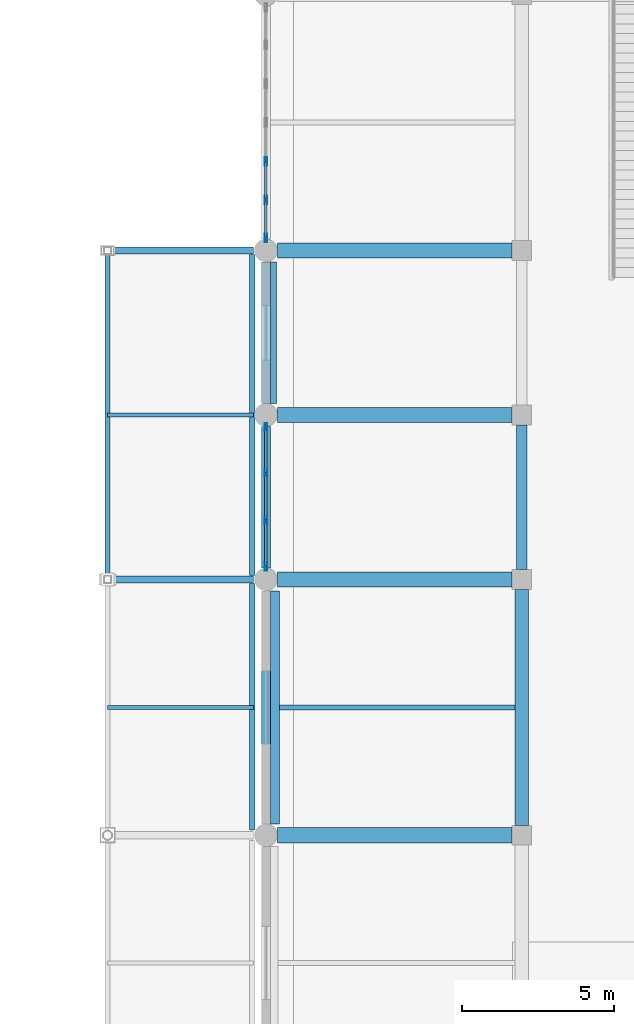
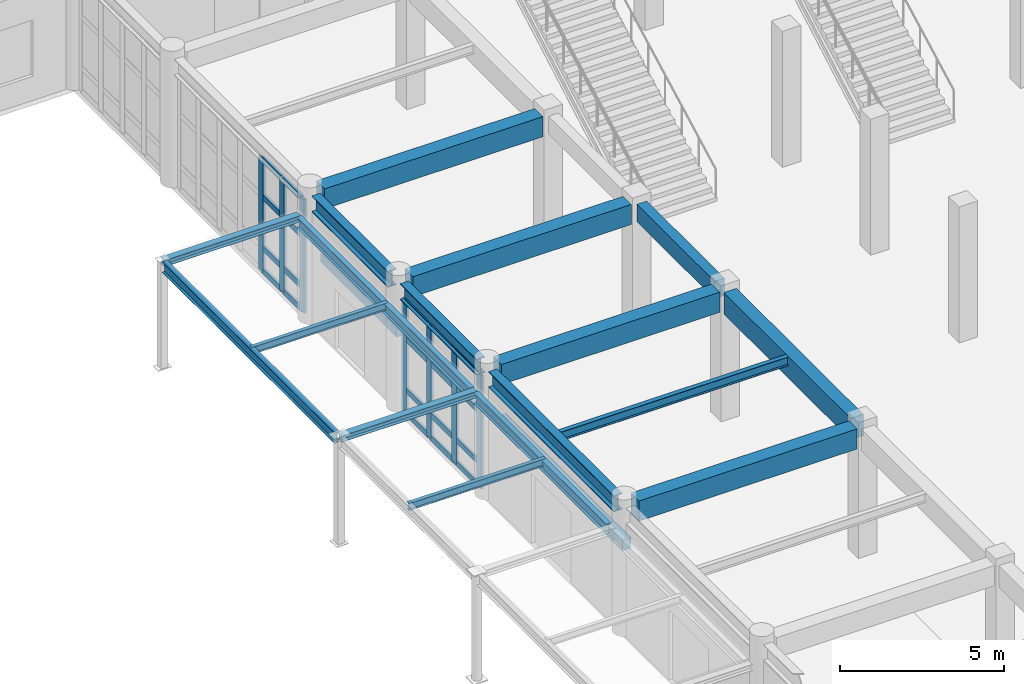
# One storey, part 24 of 80: 31 members, 15 beams, 2 elements without a shape of their own.
"""IFC4 building model written with IfcOpenShell, lengths in metres."""

from ifc_helpers import new_model, si_unit, direction, frame, origin, origin_2d, place, context, subcontext, project, spatial, rectangle, hollow_rectangle, i_section, extrude, material, layer, layer_set, material_profile, profile_set, type_object, element, aggregate, save


model = new_model("IFC4")

# Units and contexts
model_context = context("Model", 3, precision=1e-05, world=origin(), true_north=direction((0.0, 1.0)))
body_context = subcontext(model_context, "Body", "Model", "MODEL_VIEW")
ifc_project = project(units=[si_unit("LENGTHUNIT", "METRE"), si_unit("AREAUNIT", "SQUARE_METRE"), si_unit("VOLUMEUNIT", "CUBIC_METRE"), si_unit("PLANEANGLEUNIT", "RADIAN"), si_unit("MASSUNIT", "GRAM", prefix="KILO")], contexts=[model_context])

# Site, building, storey
site_placement = place(None, origin())
site = spatial("IfcSite", under=ifc_project, at=site_placement, CompositionType="ELEMENT")
building_placement = place(site_placement, origin())
building = spatial("IfcBuilding", under=site, at=building_placement, Name="Krzemoval Escarpment Law Courts", CompositionType="ELEMENT")
storey_placement = place(building_placement, origin())
storey = spatial("IfcBuildingStorey", under=building, at=storey_placement, Name="L00", CompositionType="ELEMENT", Elevation=0.0)

# Beams
ifc_material_1 = material(Name="Concrete C40/50", Category="concrete")
ifc_material_profile_1 = material_profile(ifc_material_1, rectangle(XDim=0.35009765625, YDim=0.64990234375, at=origin_2d()), Name="RCB 350x650")
ifc_profile_set_1 = profile_set([ifc_material_profile_1], Name="Concrete C40/50")
beam_type_1 = type_object("IfcBeamType", Name="BM-RC-350x650", PredefinedType="BEAM", material=ifc_profile_set_1)
beam_1_placement = place(storey_placement, frame((16.800048828125, 74.72509765625, 4.4951171875), z_axis=(0.0, 1.0, 0.0), x_axis=(-1.0, 0.0, 0.0)))
element("IfcBeam", 1, at=beam_1_placement, inside=storey, type_object=beam_type_1, Name="Beam FG-L00-0845", PredefinedType="BEAM", context=body_context, shape_type="SweptSolid", body=[
    extrude(rectangle(XDim=0.35009765625, YDim=0.64990234375, at=origin_2d()), origin(), (0.0, 0.0, 1.0), 4.75),
])
ifc_material_2 = material(Name="Concrete C40/50", Category="concrete")
ifc_material_profile_2 = material_profile(ifc_material_2, rectangle(XDim=0.449951171875, YDim=0.800048828125, at=origin_2d()), Name="RCB 450x800")
ifc_profile_set_2 = profile_set([ifc_material_profile_2], Name="Concrete C40/50")
beam_type_2 = type_object("IfcBeamType", Name="BM-RC-450x800", PredefinedType="BEAM", material=ifc_profile_set_2)
beam_2_placement = place(storey_placement, frame((16.800048828125, 66.324951171875, 4.419921875), z_axis=(0.0, 1.0, 0.0), x_axis=(-1.0, 0.0, 0.0)))
element("IfcBeam", 2, at=beam_2_placement, inside=storey, type_object=beam_type_2, Name="Beam FG-L00-0844", PredefinedType="BEAM", context=body_context, shape_type="SweptSolid", body=[
    extrude(rectangle(XDim=0.449951171875, YDim=0.800048828125, at=origin_2d()), origin(), (0.0, 0.0, 1.0), 7.75),
])
ifc_material_3 = material(Name="Concrete C40/50", Category="concrete")
ifc_material_profile_3 = material_profile(ifc_material_3, rectangle(XDim=0.5, YDim=0.75, at=origin_2d()), Name="RCB 500x750")
ifc_profile_set_3 = profile_set([ifc_material_profile_3], Name="Concrete C40/50")
beam_type_3 = type_object("IfcBeamType", Name="BM-RC-500x750", PredefinedType="BEAM", material=ifc_profile_set_3)
for number, where, z_axis, x_axis, name in (
    (3, (8.77490234375, 66.0, 4.445068359375), (1.0, 0.0, 0.0), (0.0, 1.0, 0.0), "Beam FG-L00-0705"),
    (4, (8.77490234375, 74.39990234375, 4.445068359375), (1.0, 0.0, 0.0), (0.0, 1.0, 0.0), "Beam FG-L00-0713"),
    (5, (8.77490234375, 79.800048828125, 4.445068359375), (1.0, 0.0, 0.0), (0.0, 1.0, 0.0), "Beam FG-L00-0722"),
    (6, (8.77490234375, 85.199951171875, 4.445068359375), (1.0, 0.0, 0.0), (0.0, 1.0, 0.0), "Beam FG-L00-0726"),
):
    element("IfcBeam", number, at=place(storey_placement, frame(where, z_axis=z_axis, x_axis=x_axis)), inside=storey, type_object=beam_type_3, Name=name, PredefinedType="BEAM", context=body_context, shape_type="SweptSolid", body=[
        extrude(rectangle(XDim=0.5, YDim=0.75, at=origin_2d()), origin(), (0.0, 0.0, 1.0), 7.7001953125),
    ])
ifc_material_4 = material(Name="Steel S355", Category="steel")
ifc_material_profile_4 = material_profile(ifc_material_4, i_section(OverallWidth=0.179931640625, OverallDepth=0.39990234375, WebThickness=0.008544921875, FlangeThickness=0.013427734375, at=origin_2d()), Name="IPE 400")
ifc_profile_set_4 = profile_set([ifc_material_profile_4], Name="Steel S355")
beam_type_4 = type_object("IfcBeamType", Name="BM-S355-IPE400", PredefinedType="BEAM", material=ifc_profile_set_4)
beam_3_placement = place(storey_placement, frame((7.949951171875, 66.169921875, 3.820068359375), z_axis=(0.0, 1.0, 0.0), x_axis=(-1.0, 0.0, 0.0)))
element("IfcBeam", 7, at=beam_3_placement, inside=storey, type_object=beam_type_4, Name="Canopy Ledger Beam CB-2849", PredefinedType="BEAM", context=body_context, shape_type="SweptSolid", body=[
    extrude(i_section(OverallWidth=0.179931640625, OverallDepth=0.39990234375, WebThickness=0.008544921875, FlangeThickness=0.013427734375, at=origin_2d()), origin(), (0.0, 0.0, 1.0), 8.10009765625),
])
for number, where, z_axis, x_axis, name in (
    (8, (3.199951171875, 74.530029296875, 3.820068359375), (0.0, 1.0, 0.0), (-1.0, 0.0, 0.0), "Canopy Edge Beam CB-2850"),
    (9, (7.949951171875, 74.530029296875, 3.820068359375), (0.0, 1.0, 0.0), (-1.0, 0.0, 0.0), "Canopy Ledger Beam CB-2851"),
):
    element("IfcBeam", number, at=place(storey_placement, frame(where, z_axis=z_axis, x_axis=x_axis)), inside=storey, type_object=beam_type_4, Name=name, PredefinedType="BEAM", context=body_context, shape_type="SweptSolid", body=[
        extrude(i_section(OverallWidth=0.179931640625, OverallDepth=0.39990234375, WebThickness=0.008544921875, FlangeThickness=0.013427734375, at=origin_2d()), origin(), (0.0, 0.0, 1.0), 10.5400390625),
    ])

# Curtain wall, members
ifc_material_5 = material(Name="Aluminium 6063-T6", Category="aluminium")
ifc_layer = layer(ifc_material_5, 0.280029296875)
ifc_layer_set = layer_set([ifc_layer], Name="Aluminium 6063-T6")
curtain_wall_type = type_object("IfcCurtainWallType", Name="CW-HALL-5100", PredefinedType="USERDEFINED", material=ifc_layer_set)
curtain_wall_1_placement = place(storey_placement, origin())
curtain_wall_1 = element("IfcCurtainWall", 10, at=curtain_wall_1_placement, inside=storey, type_object=curtain_wall_type, Name="Unitised Curtain Wall FCW-L00-003", ObjectType="UNITISED_CURTAIN_WALL", PredefinedType="USERDEFINED")
ifc_material_6 = material(Name="Aluminium 6063-T6", Category="aluminium")
ifc_material_profile_5 = material_profile(ifc_material_6, hollow_rectangle(XDim=0.0849609375, YDim=0.280029296875, WallThickness=0.005615234375, at=origin_2d()), Name="ALU M85x280")
ifc_profile_set_5 = profile_set([ifc_material_profile_5], Name="Aluminium 6063-T6")
member_type_1 = type_object("IfcMemberType", Name="CWM-85x280", PredefinedType="MULLION", material=ifc_profile_set_5)
member_1_placement = place(storey_placement, frame((8.39990234375, 74.8173828125, 0.0), z_axis=(0.0, 0.0, 1.0), x_axis=(-1.0, 0.0, 0.0)))
member_1 = element("IfcMember", 11, at=member_1_placement, type_object=member_type_1, Name="FCW-L00-003 mullion 1", PredefinedType="MULLION", context=body_context, shape_type="SweptSolid", body=[
    extrude(hollow_rectangle(XDim=0.0849609375, YDim=0.280029296875, WallThickness=0.005615234375, at=origin_2d()), origin(), (0.0, 0.0, 1.0), 4.219970703125),
])
member_2_placement = place(storey_placement, frame((8.39990234375, 76.324951171875, 0.0), z_axis=(0.0, 0.0, 1.0), x_axis=(-1.0, 0.0, 0.0)))
member_2 = element("IfcMember", 12, at=member_2_placement, type_object=member_type_1, Name="FCW-L00-003 mullion 2", PredefinedType="MULLION", context=body_context, shape_type="SweptSolid", body=[
    extrude(hollow_rectangle(XDim=0.0849609375, YDim=0.280029296875, WallThickness=0.005615234375, at=origin_2d()), origin(), (0.0, 0.0, 1.0), 4.219970703125),
])
member_3_placement = place(storey_placement, frame((8.39990234375, 77.875, 0.0), z_axis=(0.0, 0.0, 1.0), x_axis=(-1.0, 0.0, 0.0)))
member_3 = element("IfcMember", 13, at=member_3_placement, type_object=member_type_1, Name="FCW-L00-003 mullion 3", PredefinedType="MULLION", context=body_context, shape_type="SweptSolid", body=[
    extrude(hollow_rectangle(XDim=0.0849609375, YDim=0.280029296875, WallThickness=0.005615234375, at=origin_2d()), origin(), (0.0, 0.0, 1.0), 4.219970703125),
])
member_4_placement = place(storey_placement, frame((8.39990234375, 79.382568359375, 0.0), z_axis=(0.0, 0.0, 1.0), x_axis=(-1.0, 0.0, 0.0)))
member_4 = element("IfcMember", 14, at=member_4_placement, type_object=member_type_1, Name="FCW-L00-003 mullion 4", PredefinedType="MULLION", context=body_context, shape_type="SweptSolid", body=[
    extrude(hollow_rectangle(XDim=0.0849609375, YDim=0.280029296875, WallThickness=0.005615234375, at=origin_2d()), origin(), (0.0, 0.0, 1.0), 4.219970703125),
])

curtain_wall_2_placement = place(storey_placement, origin())
curtain_wall_2 = element("IfcCurtainWall", 15, at=curtain_wall_2_placement, inside=storey, type_object=curtain_wall_type, Name="Unitised Curtain Wall FCW-L00-004", ObjectType="UNITISED_CURTAIN_WALL", PredefinedType="USERDEFINED")
member_5_placement = place(storey_placement, frame((8.39990234375, 85.617431640625, 0.0), z_axis=(0.0, 0.0, 1.0), x_axis=(-1.0, 0.0, 0.0)))
member_5 = element("IfcMember", 16, at=member_5_placement, type_object=member_type_1, Name="FCW-L00-004 mullion 1", PredefinedType="MULLION", context=body_context, shape_type="SweptSolid", body=[
    extrude(hollow_rectangle(XDim=0.0849609375, YDim=0.280029296875, WallThickness=0.005615234375, at=origin_2d()), origin(), (0.0, 0.0, 1.0), 4.219970703125),
])
member_6_placement = place(storey_placement, frame((8.39990234375, 86.85009765625, 0.0), z_axis=(0.0, 0.0, 1.0), x_axis=(-1.0, 0.0, 0.0)))
member_6 = element("IfcMember", 17, at=member_6_placement, type_object=member_type_1, Name="FCW-L00-004 mullion 2", PredefinedType="MULLION", context=body_context, shape_type="SweptSolid", body=[
    extrude(hollow_rectangle(XDim=0.0849609375, YDim=0.280029296875, WallThickness=0.005615234375, at=origin_2d()), origin(), (0.0, 0.0, 1.0), 4.219970703125),
])
member_7_placement = place(storey_placement, frame((8.39990234375, 88.125, 0.0), z_axis=(0.0, 0.0, 1.0), x_axis=(-1.0, 0.0, 0.0)))
member_7 = element("IfcMember", 18, at=member_7_placement, type_object=member_type_1, Name="FCW-L00-004 mullion 3", PredefinedType="MULLION", context=body_context, shape_type="SweptSolid", body=[
    extrude(hollow_rectangle(XDim=0.0849609375, YDim=0.280029296875, WallThickness=0.005615234375, at=origin_2d()), origin(), (0.0, 0.0, 1.0), 4.219970703125),
])

# Member
ifc_material_7 = material(Name="Aluminium 6063-T6", Category="aluminium")
ifc_material_profile_6 = material_profile(ifc_material_7, hollow_rectangle(XDim=0.0849609375, YDim=0.2099609375, WallThickness=0.005615234375, at=origin_2d()), Name="ALU T85x210")
ifc_profile_set_6 = profile_set([ifc_material_profile_6], Name="Aluminium 6063-T6")
member_type_2 = type_object("IfcMemberType", Name="CWT-85x210", PredefinedType="USERDEFINED", material=ifc_profile_set_6)
member_8_placement = place(storey_placement, frame((8.39990234375, 74.860107421875, 0.04248046875), z_axis=(0.0, 1.0, 0.0), x_axis=(-1.0, 0.0, 0.0)))
member_8 = element("IfcMember", 19, at=member_8_placement, type_object=member_type_2, Name="FCW-L00-003 transom 1.1", ObjectType="TRANSOM", PredefinedType="USERDEFINED", context=body_context, shape_type="SweptSolid", body=[
    extrude(hollow_rectangle(XDim=0.0849609375, YDim=0.2099609375, WallThickness=0.005615234375, at=origin_2d()), origin(), (0.0, 0.0, 1.0), 1.42236328125),
])

member_9_placement = place(storey_placement, frame((8.39990234375, 74.860107421875, 0.89990234375), z_axis=(0.0, 1.0, 0.0), x_axis=(-1.0, 0.0, 0.0)))
member_9 = element("IfcMember", 20, at=member_9_placement, type_object=member_type_2, Name="FCW-L00-003 transom 1.2", ObjectType="TRANSOM", PredefinedType="USERDEFINED", context=body_context, shape_type="SweptSolid", body=[
    extrude(hollow_rectangle(XDim=0.0849609375, YDim=0.2099609375, WallThickness=0.005615234375, at=origin_2d()), origin(), (0.0, 0.0, 1.0), 1.42236328125),
])

member_10_placement = place(storey_placement, frame((8.39990234375, 74.860107421875, 2.800048828125), z_axis=(0.0, 1.0, 0.0), x_axis=(-1.0, 0.0, 0.0)))
member_10 = element("IfcMember", 21, at=member_10_placement, type_object=member_type_2, Name="FCW-L00-003 transom 1.3", ObjectType="TRANSOM", PredefinedType="USERDEFINED", context=body_context, shape_type="SweptSolid", body=[
    extrude(hollow_rectangle(XDim=0.0849609375, YDim=0.2099609375, WallThickness=0.005615234375, at=origin_2d()), origin(), (0.0, 0.0, 1.0), 1.42236328125),
])

member_11_placement = place(storey_placement, frame((8.39990234375, 74.860107421875, 4.177490234375), z_axis=(0.0, 1.0, 0.0), x_axis=(-1.0, 0.0, 0.0)))
member_11 = element("IfcMember", 22, at=member_11_placement, type_object=member_type_2, Name="FCW-L00-003 transom 1.4", ObjectType="TRANSOM", PredefinedType="USERDEFINED", context=body_context, shape_type="SweptSolid", body=[
    extrude(hollow_rectangle(XDim=0.0849609375, YDim=0.2099609375, WallThickness=0.005615234375, at=origin_2d()), origin(), (0.0, 0.0, 1.0), 1.42236328125),
])

member_12_placement = place(storey_placement, frame((8.39990234375, 76.367431640625, 0.04248046875), z_axis=(0.0, 1.0, 0.0), x_axis=(-1.0, 0.0, 0.0)))
member_12 = element("IfcMember", 23, at=member_12_placement, type_object=member_type_2, Name="FCW-L00-003 transom 2.1", ObjectType="TRANSOM", PredefinedType="USERDEFINED", context=body_context, shape_type="SweptSolid", body=[
    extrude(hollow_rectangle(XDim=0.0849609375, YDim=0.2099609375, WallThickness=0.005615234375, at=origin_2d()), origin(), (0.0, 0.0, 1.0), 1.465087890625),
])

member_13_placement = place(storey_placement, frame((8.39990234375, 76.367431640625, 0.89990234375), z_axis=(0.0, 1.0, 0.0), x_axis=(-1.0, 0.0, 0.0)))
member_13 = element("IfcMember", 24, at=member_13_placement, type_object=member_type_2, Name="FCW-L00-003 transom 2.2", ObjectType="TRANSOM", PredefinedType="USERDEFINED", context=body_context, shape_type="SweptSolid", body=[
    extrude(hollow_rectangle(XDim=0.0849609375, YDim=0.2099609375, WallThickness=0.005615234375, at=origin_2d()), origin(), (0.0, 0.0, 1.0), 1.465087890625),
])

member_14_placement = place(storey_placement, frame((8.39990234375, 76.367431640625, 2.800048828125), z_axis=(0.0, 1.0, 0.0), x_axis=(-1.0, 0.0, 0.0)))
member_14 = element("IfcMember", 25, at=member_14_placement, type_object=member_type_2, Name="FCW-L00-003 transom 2.3", ObjectType="TRANSOM", PredefinedType="USERDEFINED", context=body_context, shape_type="SweptSolid", body=[
    extrude(hollow_rectangle(XDim=0.0849609375, YDim=0.2099609375, WallThickness=0.005615234375, at=origin_2d()), origin(), (0.0, 0.0, 1.0), 1.465087890625),
])

member_15_placement = place(storey_placement, frame((8.39990234375, 76.367431640625, 4.177490234375), z_axis=(0.0, 1.0, 0.0), x_axis=(-1.0, 0.0, 0.0)))
member_15 = element("IfcMember", 26, at=member_15_placement, type_object=member_type_2, Name="FCW-L00-003 transom 2.4", ObjectType="TRANSOM", PredefinedType="USERDEFINED", context=body_context, shape_type="SweptSolid", body=[
    extrude(hollow_rectangle(XDim=0.0849609375, YDim=0.2099609375, WallThickness=0.005615234375, at=origin_2d()), origin(), (0.0, 0.0, 1.0), 1.465087890625),
])

member_16_placement = place(storey_placement, frame((8.39990234375, 77.91748046875, 0.04248046875), z_axis=(0.0, 1.0, 0.0), x_axis=(-1.0, 0.0, 0.0)))
member_16 = element("IfcMember", 27, at=member_16_placement, type_object=member_type_2, Name="FCW-L00-003 transom 3.1", ObjectType="TRANSOM", PredefinedType="USERDEFINED", context=body_context, shape_type="SweptSolid", body=[
    extrude(hollow_rectangle(XDim=0.0849609375, YDim=0.2099609375, WallThickness=0.005615234375, at=origin_2d()), origin(), (0.0, 0.0, 1.0), 1.422607421875),
])

member_17_placement = place(storey_placement, frame((8.39990234375, 77.91748046875, 0.89990234375), z_axis=(0.0, 1.0, 0.0), x_axis=(-1.0, 0.0, 0.0)))
member_17 = element("IfcMember", 28, at=member_17_placement, type_object=member_type_2, Name="FCW-L00-003 transom 3.2", ObjectType="TRANSOM", PredefinedType="USERDEFINED", context=body_context, shape_type="SweptSolid", body=[
    extrude(hollow_rectangle(XDim=0.0849609375, YDim=0.2099609375, WallThickness=0.005615234375, at=origin_2d()), origin(), (0.0, 0.0, 1.0), 1.422607421875),
])

member_18_placement = place(storey_placement, frame((8.39990234375, 77.91748046875, 2.800048828125), z_axis=(0.0, 1.0, 0.0), x_axis=(-1.0, 0.0, 0.0)))
member_18 = element("IfcMember", 29, at=member_18_placement, type_object=member_type_2, Name="FCW-L00-003 transom 3.3", ObjectType="TRANSOM", PredefinedType="USERDEFINED", context=body_context, shape_type="SweptSolid", body=[
    extrude(hollow_rectangle(XDim=0.0849609375, YDim=0.2099609375, WallThickness=0.005615234375, at=origin_2d()), origin(), (0.0, 0.0, 1.0), 1.422607421875),
])

member_19_placement = place(storey_placement, frame((8.39990234375, 77.91748046875, 4.177490234375), z_axis=(0.0, 1.0, 0.0), x_axis=(-1.0, 0.0, 0.0)))
member_19 = element("IfcMember", 30, at=member_19_placement, type_object=member_type_2, Name="FCW-L00-003 transom 3.4", ObjectType="TRANSOM", PredefinedType="USERDEFINED", context=body_context, shape_type="SweptSolid", body=[
    extrude(hollow_rectangle(XDim=0.0849609375, YDim=0.2099609375, WallThickness=0.005615234375, at=origin_2d()), origin(), (0.0, 0.0, 1.0), 1.422607421875),
])

aggregate(curtain_wall_1, [member_1, member_2, member_3, member_4, member_8, member_9, member_10, member_11, member_12, member_13, member_14, member_15, member_16, member_17, member_18, member_19])

member_20_placement = place(storey_placement, frame((8.39990234375, 85.659912109375, 0.04248046875), z_axis=(0.0, 1.0, 0.0), x_axis=(-1.0, 0.0, 0.0)))
member_20 = element("IfcMember", 31, at=member_20_placement, type_object=member_type_2, Name="FCW-L00-004 transom 1.1", ObjectType="TRANSOM", PredefinedType="USERDEFINED", context=body_context, shape_type="SweptSolid", body=[
    extrude(hollow_rectangle(XDim=0.0849609375, YDim=0.2099609375, WallThickness=0.005615234375, at=origin_2d()), origin(), (0.0, 0.0, 1.0), 1.147705078125),
])

member_21_placement = place(storey_placement, frame((8.39990234375, 85.659912109375, 0.89990234375), z_axis=(0.0, 1.0, 0.0), x_axis=(-1.0, 0.0, 0.0)))
member_21 = element("IfcMember", 32, at=member_21_placement, type_object=member_type_2, Name="FCW-L00-004 transom 1.2", ObjectType="TRANSOM", PredefinedType="USERDEFINED", context=body_context, shape_type="SweptSolid", body=[
    extrude(hollow_rectangle(XDim=0.0849609375, YDim=0.2099609375, WallThickness=0.005615234375, at=origin_2d()), origin(), (0.0, 0.0, 1.0), 1.147705078125),
])

member_22_placement = place(storey_placement, frame((8.39990234375, 85.659912109375, 2.800048828125), z_axis=(0.0, 1.0, 0.0), x_axis=(-1.0, 0.0, 0.0)))
member_22 = element("IfcMember", 33, at=member_22_placement, type_object=member_type_2, Name="FCW-L00-004 transom 1.3", ObjectType="TRANSOM", PredefinedType="USERDEFINED", context=body_context, shape_type="SweptSolid", body=[
    extrude(hollow_rectangle(XDim=0.0849609375, YDim=0.2099609375, WallThickness=0.005615234375, at=origin_2d()), origin(), (0.0, 0.0, 1.0), 1.147705078125),
])

member_23_placement = place(storey_placement, frame((8.39990234375, 85.659912109375, 4.177490234375), z_axis=(0.0, 1.0, 0.0), x_axis=(-1.0, 0.0, 0.0)))
member_23 = element("IfcMember", 34, at=member_23_placement, type_object=member_type_2, Name="FCW-L00-004 transom 1.4", ObjectType="TRANSOM", PredefinedType="USERDEFINED", context=body_context, shape_type="SweptSolid", body=[
    extrude(hollow_rectangle(XDim=0.0849609375, YDim=0.2099609375, WallThickness=0.005615234375, at=origin_2d()), origin(), (0.0, 0.0, 1.0), 1.147705078125),
])

member_24_placement = place(storey_placement, frame((8.39990234375, 86.892578125, 0.04248046875), z_axis=(0.0, 1.0, 0.0), x_axis=(-1.0, 0.0, 0.0)))
member_24 = element("IfcMember", 35, at=member_24_placement, type_object=member_type_2, Name="FCW-L00-004 transom 2.1", ObjectType="TRANSOM", PredefinedType="USERDEFINED", context=body_context, shape_type="SweptSolid", body=[
    extrude(hollow_rectangle(XDim=0.0849609375, YDim=0.2099609375, WallThickness=0.005615234375, at=origin_2d()), origin(), (0.0, 0.0, 1.0), 1.18994140625),
])

member_25_placement = place(storey_placement, frame((8.39990234375, 86.892578125, 0.89990234375), z_axis=(0.0, 1.0, 0.0), x_axis=(-1.0, 0.0, 0.0)))
member_25 = element("IfcMember", 36, at=member_25_placement, type_object=member_type_2, Name="FCW-L00-004 transom 2.2", ObjectType="TRANSOM", PredefinedType="USERDEFINED", context=body_context, shape_type="SweptSolid", body=[
    extrude(hollow_rectangle(XDim=0.0849609375, YDim=0.2099609375, WallThickness=0.005615234375, at=origin_2d()), origin(), (0.0, 0.0, 1.0), 1.18994140625),
])

member_26_placement = place(storey_placement, frame((8.39990234375, 86.892578125, 2.800048828125), z_axis=(0.0, 1.0, 0.0), x_axis=(-1.0, 0.0, 0.0)))
member_26 = element("IfcMember", 37, at=member_26_placement, type_object=member_type_2, Name="FCW-L00-004 transom 2.3", ObjectType="TRANSOM", PredefinedType="USERDEFINED", context=body_context, shape_type="SweptSolid", body=[
    extrude(hollow_rectangle(XDim=0.0849609375, YDim=0.2099609375, WallThickness=0.005615234375, at=origin_2d()), origin(), (0.0, 0.0, 1.0), 1.18994140625),
])

member_27_placement = place(storey_placement, frame((8.39990234375, 86.892578125, 4.177490234375), z_axis=(0.0, 1.0, 0.0), x_axis=(-1.0, 0.0, 0.0)))
member_27 = element("IfcMember", 38, at=member_27_placement, type_object=member_type_2, Name="FCW-L00-004 transom 2.4", ObjectType="TRANSOM", PredefinedType="USERDEFINED", context=body_context, shape_type="SweptSolid", body=[
    extrude(hollow_rectangle(XDim=0.0849609375, YDim=0.2099609375, WallThickness=0.005615234375, at=origin_2d()), origin(), (0.0, 0.0, 1.0), 1.18994140625),
])

aggregate(curtain_wall_2, [member_5, member_6, member_7, member_20, member_21, member_22, member_23, member_24, member_25, member_26, member_27])

# Beams
ifc_material_8 = material(Name="Steel S355", Category="steel")
ifc_material_profile_7 = material_profile(ifc_material_8, i_section(OverallWidth=0.159912109375, OverallDepth=0.330078125, WebThickness=0.007568359375, FlangeThickness=0.011474609375, at=origin_2d()), Name="IPE 330")
ifc_profile_set_7 = profile_set([ifc_material_profile_7], Name="Steel S355")
beam_type_5 = type_object("IfcBeamType", Name="JST-S355-IPE330", PredefinedType="JOIST", material=ifc_profile_set_7)
beam_4_placement = place(storey_placement, frame((8.550048828125, 70.199951171875, 4.655029296875), z_axis=(1.0, 0.0, 0.0), x_axis=(0.0, 1.0, 0.0)))
element("IfcBeam", 39, at=beam_4_placement, inside=storey, type_object=beam_type_5, Name="Secondary Joist FJ-L00-1050", PredefinedType="JOIST", context=body_context, shape_type="SweptSolid", body=[
    extrude(i_section(OverallWidth=0.159912109375, OverallDepth=0.330078125, WebThickness=0.007568359375, FlangeThickness=0.011474609375, at=origin_2d()), origin(), (0.0, 0.0, 1.0), 8.02490234375),
])
ifc_material_9 = material(Name="Concrete C40/50", Category="concrete")
ifc_material_profile_8 = material_profile(ifc_material_9, rectangle(XDim=0.199951171875, YDim=0.300048828125, at=origin_2d()), Name="LIN 200x300")
ifc_profile_set_8 = profile_set([ifc_material_profile_8], Name="Concrete C40/50")
beam_type_6 = type_object("IfcBeamType", Name="LIN-RC-200x300", PredefinedType="LINTEL", material=ifc_profile_set_8)
beam_5_placement = place(storey_placement, frame((8.655029296875, 80.175048828125, 2.409912109375), z_axis=(0.0, 1.0, 0.0), x_axis=(-1.0, 0.0, 0.0)))
element("IfcBeam", 40, at=beam_5_placement, inside=storey, type_object=beam_type_6, Name="Opening Lintel FLN-004", PredefinedType="LINTEL", context=body_context, shape_type="SweptSolid", body=[
    extrude(rectangle(XDim=0.199951171875, YDim=0.300048828125, at=origin_2d()), origin(), (0.0, 0.0, 1.0), 4.64990234375),
])
ifc_material_10 = material(Name="Concrete C40/50", Category="concrete")
ifc_material_profile_9 = material_profile(ifc_material_10, rectangle(XDim=0.300048828125, YDim=0.39990234375, at=origin_2d()), Name="LIN 300x400")
ifc_profile_set_9 = profile_set([ifc_material_profile_9], Name="Concrete C40/50")
beam_type_7 = type_object("IfcBeamType", Name="LIN-RC-300x400", PredefinedType="LINTEL", material=ifc_profile_set_9)
beam_6_placement = place(storey_placement, frame((8.705078125, 66.375, 2.860107421875), z_axis=(0.0, 1.0, 0.0), x_axis=(-1.0, 0.0, 0.0)))
element("IfcBeam", 41, at=beam_6_placement, inside=storey, type_object=beam_type_7, Name="Opening Lintel FLN-003", PredefinedType="LINTEL", context=body_context, shape_type="SweptSolid", body=[
    extrude(rectangle(XDim=0.300048828125, YDim=0.39990234375, at=origin_2d()), origin(), (0.0, 0.0, 1.0), 7.64990234375),
])

# Members
ifc_material_11 = material(Name="Steel S355", Category="steel")
ifc_material_profile_10 = material_profile(ifc_material_11, i_section(OverallWidth=0.239990234375, OverallDepth=0.239990234375, WebThickness=0.010009765625, FlangeThickness=0.01708984375, at=origin_2d()), Name="HEB 240")
ifc_profile_set_10 = profile_set([ifc_material_profile_10], Name="Steel S355")
member_type_3 = type_object("IfcMemberType", Name="MBR-RAF-HEB240", PredefinedType="RAFTER", material=ifc_profile_set_10)
for number, where, z_axis, x_axis, name in (
    (42, (3.199951171875, 74.39990234375, 3.89990234375), (1.0, 0.0, 0.0), (0.0, 1.0, 0.0), "Canopy Rafter RAF-0231"),
    (43, (3.199951171875, 85.199951171875, 3.89990234375), (1.0, 0.0, 0.0), (0.0, 1.0, 0.0), "Canopy Rafter RAF-0233"),
):
    element("IfcMember", number, at=place(storey_placement, frame(where, z_axis=z_axis, x_axis=x_axis)), inside=storey, type_object=member_type_3, Name=name, PredefinedType="RAFTER", context=body_context, shape_type="SweptSolid", body=[
        extrude(i_section(OverallWidth=0.239990234375, OverallDepth=0.239990234375, WebThickness=0.010009765625, FlangeThickness=0.01708984375, at=origin_2d()), origin(), (0.0, 0.0, 1.0), 4.800048828125),
    ])
ifc_material_12 = material(Name="Steel S355", Category="steel")
ifc_material_profile_11 = material_profile(ifc_material_12, i_section(OverallWidth=0.135009765625, OverallDepth=0.27001953125, WebThickness=0.006591796875, FlangeThickness=0.01025390625, at=origin_2d()), Name="IPE 270")
ifc_profile_set_11 = profile_set([ifc_material_profile_11], Name="Steel S355")
member_type_4 = type_object("IfcMemberType", Name="MBR-RAF-IPE270", PredefinedType="RAFTER", material=ifc_profile_set_11)
for number, where, z_axis, x_axis, name in (
    (44, (3.199951171875, 70.199951171875, 3.885009765625), (1.0, 0.0, 0.0), (0.0, 1.0, 0.0), "Canopy Rafter RAF-0230"),
    (45, (3.199951171875, 79.800048828125, 3.885009765625), (1.0, 0.0, 0.0), (0.0, 1.0, 0.0), "Canopy Rafter RAF-0232"),
):
    element("IfcMember", number, at=place(storey_placement, frame(where, z_axis=z_axis, x_axis=x_axis)), inside=storey, type_object=member_type_4, Name=name, PredefinedType="RAFTER", context=body_context, shape_type="SweptSolid", body=[
        extrude(i_section(OverallWidth=0.135009765625, OverallDepth=0.27001953125, WebThickness=0.006591796875, FlangeThickness=0.01025390625, at=origin_2d()), origin(), (0.0, 0.0, 1.0), 4.800048828125),
    ])

# Beams
ifc_material_13 = material(Name="Steel S355", Category="steel")
ifc_material_profile_12 = material_profile(ifc_material_13, i_section(OverallWidth=0.300048828125, OverallDepth=0.60009765625, WebThickness=0.015380859375, FlangeThickness=0.030029296875, at=origin_2d()), Name="HEB 600")
ifc_profile_set_12 = profile_set([ifc_material_profile_12], Name="Steel S355")
beam_type_8 = type_object("IfcBeamType", Name="SPN-S355-HEB600", PredefinedType="SPANDREL", material=ifc_profile_set_12)
beam_7_placement = place(storey_placement, frame((8.39990234375, 66.375, 4.52001953125), z_axis=(0.0, 1.0, 0.0), x_axis=(-1.0, 0.0, 0.0)))
element("IfcBeam", 46, at=beam_7_placement, inside=storey, type_object=beam_type_8, Name="Beam FG-L00-0828", PredefinedType="SPANDREL", context=body_context, shape_type="SweptSolid", body=[
    extrude(i_section(OverallWidth=0.300048828125, OverallDepth=0.60009765625, WebThickness=0.015380859375, FlangeThickness=0.030029296875, at=origin_2d()), origin(), (0.0, 0.0, 1.0), 7.64990234375),
])
beam_8_placement = place(storey_placement, frame((8.39990234375, 74.77490234375, 4.52001953125), z_axis=(0.0, 1.0, 0.0), x_axis=(-1.0, 0.0, 0.0)))
element("IfcBeam", 47, at=beam_8_placement, inside=storey, type_object=beam_type_8, Name="Beam FG-L00-0829", PredefinedType="SPANDREL", context=body_context, shape_type="SweptSolid", body=[
    extrude(i_section(OverallWidth=0.300048828125, OverallDepth=0.60009765625, WebThickness=0.015380859375, FlangeThickness=0.030029296875, at=origin_2d()), origin(), (0.0, 0.0, 1.0), 4.650146484375),
])
beam_9_placement = place(storey_placement, frame((8.39990234375, 80.175048828125, 4.52001953125), z_axis=(0.0, 1.0, 0.0), x_axis=(-1.0, 0.0, 0.0)))
element("IfcBeam", 48, at=beam_9_placement, inside=storey, type_object=beam_type_8, Name="Beam FG-L00-0830", PredefinedType="SPANDREL", context=body_context, shape_type="SweptSolid", body=[
    extrude(i_section(OverallWidth=0.300048828125, OverallDepth=0.60009765625, WebThickness=0.015380859375, FlangeThickness=0.030029296875, at=origin_2d()), origin(), (0.0, 0.0, 1.0), 4.64990234375),
])

save(model, "model.ifc")
